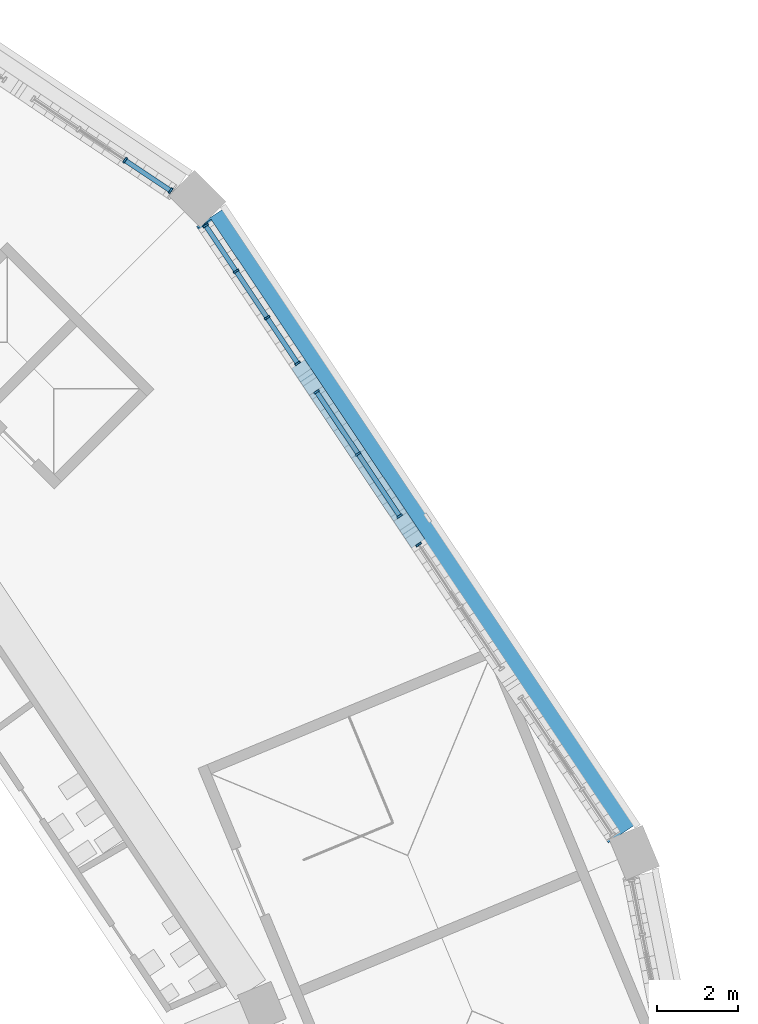
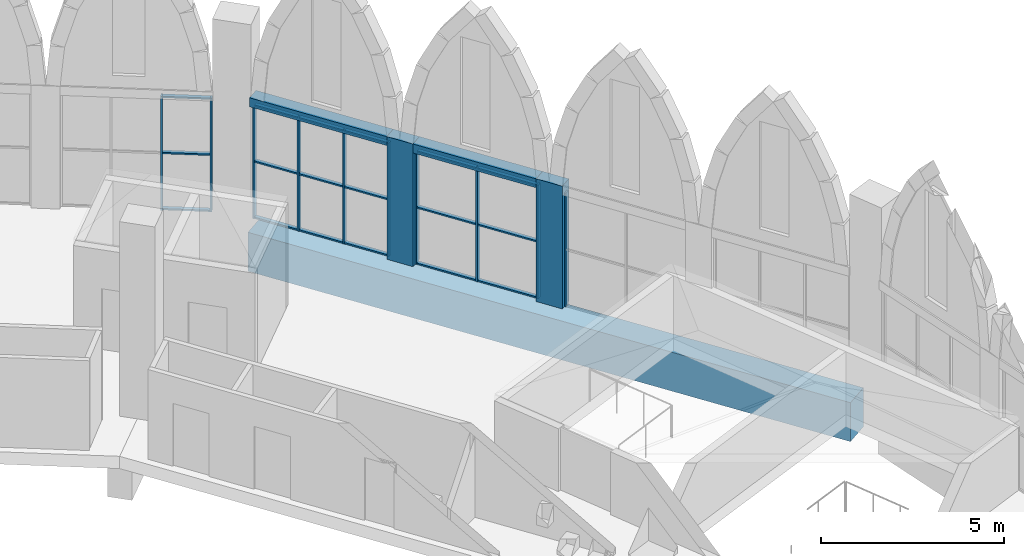
# One storey, part 44 of 130: 30 members, 3 beams, 4 elements without a shape of their own.
"""IFC4 building model written with IfcOpenShell, lengths in metres."""

from ifc_helpers import new_model, si_unit, direction, frame, origin, origin_2d, place, context, subcontext, project, spatial, rectangle, extrude, material, material_profile, profile_set, type_object, element, aggregate, save


model = new_model("IFC4")

# Units and contexts
model_context = context("Model", 3, precision=1e-05, world=origin(), true_north=direction((0.0, 1.0)))
body_context = subcontext(model_context, "Body", "Model", "MODEL_VIEW")
ifc_project = project(units=[si_unit("LENGTHUNIT", "METRE"), si_unit("AREAUNIT", "SQUARE_METRE"), si_unit("VOLUMEUNIT", "CUBIC_METRE"), si_unit("PLANEANGLEUNIT", "RADIAN"), si_unit("MASSUNIT", "GRAM", prefix="KILO")], contexts=[model_context])

# Site, building, storey
site_placement = place(None, origin())
site = spatial("IfcSite", under=ifc_project, at=site_placement, CompositionType="ELEMENT")
building_placement = place(site_placement, origin())
building = spatial("IfcBuilding", under=site, at=building_placement, Name="Ogive Plaza Stadium", CompositionType="ELEMENT")
storey_placement = place(building_placement, frame((0.0, 0.0, 22.5)))
storey = spatial("IfcBuildingStorey", under=building, at=storey_placement, Name="L05", CompositionType="ELEMENT", Elevation=22.5)

# Curtain wall, members
ifc_material_1 = material(Name="Bronze-anodised aluminium with laminated glass", Category="aluminium")
curtain_wall_type = type_object("IfcCurtainWallType", Name="Lancet curtain wall", PredefinedType="NOTDEFINED", material=ifc_material_1)
curtain_wall_1_placement = place(storey_placement, origin())
curtain_wall_1 = element("IfcCurtainWall", 1, at=curtain_wall_1_placement, inside=storey, type_object=curtain_wall_type, Name="CURTAIN WALL B38 L05", PredefinedType="NOTDEFINED")
ifc_material_2 = material(Name="Bronze-anodised aluminium", Category="aluminium")
ifc_material_profile_1 = material_profile(ifc_material_2, rectangle(XDim=0.14990234375, YDim=0.050048828125, at=origin_2d()), Name="AL 150x50")
ifc_profile_set_1 = profile_set([ifc_material_profile_1], Name="Bronze-anodised aluminium")
member_type_1 = type_object("IfcMemberType", Name="Curtain wall mullion 50x150", PredefinedType="MULLION", material=ifc_profile_set_1)
member_1_placement = place(storey_placement, frame((67.5595703125, 88.814697265625, 0.0), z_axis=(0.0, 0.0, 1.0), x_axis=(0.555570233005, 0.831469612312, 0.0)))
member_1 = element("IfcMember", 2, at=member_1_placement, type_object=member_type_1, Name="CW-B38-L05.4 mullion 3", PredefinedType="MULLION", context=body_context, shape_type="SweptSolid", body=[
    extrude(rectangle(XDim=0.14990234375, YDim=0.050048828125, at=origin_2d()), origin(), (0.0, 0.0, 1.0), 3.800048828125),
])
member_2_placement = place(storey_placement, frame((68.69091796875, 88.05859375, 0.0), z_axis=(0.0, 0.0, 1.0), x_axis=(0.555570233005, 0.831469612312, 0.0)))
member_2 = element("IfcMember", 3, at=member_2_placement, type_object=member_type_1, Name="CW-B38-L05.4 mullion 4", PredefinedType="MULLION", context=body_context, shape_type="SweptSolid", body=[
    extrude(rectangle(XDim=0.14990234375, YDim=0.050048828125, at=origin_2d()), origin(), (0.0, 0.0, 1.0), 3.800048828125),
])

curtain_wall_2_placement = place(storey_placement, origin())
curtain_wall_2 = element("IfcCurtainWall", 4, at=curtain_wall_2_placement, inside=storey, type_object=curtain_wall_type, Name="CURTAIN WALL B39 L05", PredefinedType="NOTDEFINED")
member_3_placement = place(storey_placement, frame((69.55859375, 87.19091796875, 0.0), z_axis=(0.0, 0.0, 1.0), x_axis=(0.831469612312, 0.555570233005, 0.0)))
member_3 = element("IfcMember", 5, at=member_3_placement, type_object=member_type_1, Name="CW-B39-L05.1 mullion 1", PredefinedType="MULLION", context=body_context, shape_type="SweptSolid", body=[
    extrude(rectangle(XDim=0.14990234375, YDim=0.050048828125, at=origin_2d()), origin(), (0.0, 0.0, 1.0), 3.800048828125),
])
member_4_placement = place(storey_placement, frame((70.314697265625, 86.0595703125, 0.0), z_axis=(0.0, 0.0, 1.0), x_axis=(0.831469612312, 0.555570233005, 0.0)))
member_4 = element("IfcMember", 6, at=member_4_placement, type_object=member_type_1, Name="CW-B39-L05.1 mullion 2", PredefinedType="MULLION", context=body_context, shape_type="SweptSolid", body=[
    extrude(rectangle(XDim=0.14990234375, YDim=0.050048828125, at=origin_2d()), origin(), (0.0, 0.0, 1.0), 3.800048828125),
])
member_5_placement = place(storey_placement, frame((71.08447265625, 84.907470703125, 0.0), z_axis=(0.0, 0.0, 1.0), x_axis=(0.831469612312, 0.555570233005, 0.0)))
member_5 = element("IfcMember", 7, at=member_5_placement, type_object=member_type_1, Name="CW-B39-L05.1 mullion 3", PredefinedType="MULLION", context=body_context, shape_type="SweptSolid", body=[
    extrude(rectangle(XDim=0.14990234375, YDim=0.050048828125, at=origin_2d()), origin(), (0.0, 0.0, 1.0), 3.800048828125),
])
member_6_placement = place(storey_placement, frame((71.840576171875, 83.776123046875, 0.0), z_axis=(0.0, 0.0, 1.0), x_axis=(0.831469612312, 0.555570233005, 0.0)))
member_6 = element("IfcMember", 8, at=member_6_placement, type_object=member_type_1, Name="CW-B39-L05.1 mullion 4", PredefinedType="MULLION", context=body_context, shape_type="SweptSolid", body=[
    extrude(rectangle(XDim=0.14990234375, YDim=0.050048828125, at=origin_2d()), origin(), (0.0, 0.0, 1.0), 3.800048828125),
])

curtain_wall_3_placement = place(storey_placement, origin())
curtain_wall_3 = element("IfcCurtainWall", 9, at=curtain_wall_3_placement, inside=storey, type_object=curtain_wall_type, Name="CURTAIN WALL B39 L05", PredefinedType="NOTDEFINED")
member_7_placement = place(storey_placement, frame((72.312744140625, 83.0693359375, 0.0), z_axis=(0.0, 0.0, 1.0), x_axis=(0.831469612235, 0.555570233121, 0.0)))
member_7 = element("IfcMember", 10, at=member_7_placement, type_object=member_type_1, Name="CW-B39-L05.2 mullion 1", PredefinedType="MULLION", context=body_context, shape_type="SweptSolid", body=[
    extrude(rectangle(XDim=0.14990234375, YDim=0.050048828125, at=origin_2d()), origin(), (0.0, 0.0, 1.0), 3.800048828125),
])
member_8_placement = place(storey_placement, frame((73.342529296875, 81.528076171875, 0.0), z_axis=(0.0, 0.0, 1.0), x_axis=(0.831469612235, 0.555570233121, 0.0)))
member_8 = element("IfcMember", 11, at=member_8_placement, type_object=member_type_1, Name="CW-B39-L05.2 mullion 2", PredefinedType="MULLION", context=body_context, shape_type="SweptSolid", body=[
    extrude(rectangle(XDim=0.14990234375, YDim=0.050048828125, at=origin_2d()), origin(), (0.0, 0.0, 1.0), 3.800048828125),
])
member_9_placement = place(storey_placement, frame((74.372314453125, 79.987060546875, 0.0), z_axis=(0.0, 0.0, 1.0), x_axis=(0.831469612235, 0.555570233121, 0.0)))
member_9 = element("IfcMember", 12, at=member_9_placement, type_object=member_type_1, Name="CW-B39-L05.2 mullion 3", PredefinedType="MULLION", context=body_context, shape_type="SweptSolid", body=[
    extrude(rectangle(XDim=0.14990234375, YDim=0.050048828125, at=origin_2d()), origin(), (0.0, 0.0, 1.0), 3.800048828125),
])

# Curtain wall, member
curtain_wall_4_placement = place(storey_placement, origin())
curtain_wall_4 = element("IfcCurtainWall", 13, at=curtain_wall_4_placement, inside=storey, type_object=curtain_wall_type, Name="CURTAIN WALL B39 L05", PredefinedType="NOTDEFINED")
member_10_placement = place(storey_placement, frame((74.844482421875, 79.2802734375, 0.0), z_axis=(0.0, 0.0, 1.0), x_axis=(0.831469612157, 0.555570233237, 0.0)))
member_10 = element("IfcMember", 14, at=member_10_placement, type_object=member_type_1, Name="CW-B39-L05.3 mullion 1", PredefinedType="MULLION", context=body_context, shape_type="SweptSolid", body=[
    extrude(rectangle(XDim=0.14990234375, YDim=0.050048828125, at=origin_2d()), origin(), (0.0, 0.0, 1.0), 3.800048828125),
])
aggregate(curtain_wall_4, [member_10])

# Member
ifc_material_3 = material(Name="Bronze-anodised aluminium", Category="aluminium")
ifc_material_profile_2 = material_profile(ifc_material_3, rectangle(XDim=0.1201171875, YDim=0.050048828125, at=origin_2d()), Name="AL 120x50")
ifc_profile_set_2 = profile_set([ifc_material_profile_2], Name="Bronze-anodised aluminium")
member_type_2 = type_object("IfcMemberType", Name="Curtain wall transom 50x120", PredefinedType="USERDEFINED", material=ifc_profile_set_2)
member_11_placement = place(storey_placement, frame((67.580322265625, 88.80078125, 0.02490234375), z_axis=(0.83144805367, -0.555602496438, 0.0), x_axis=(0.555602496438, 0.83144805367, 0.0)))
member_11 = element("IfcMember", 15, at=member_11_placement, type_object=member_type_2, Name="CW-B38-L05.4 transom 3.1", ObjectType="TRANSOM", PredefinedType="USERDEFINED", context=body_context, shape_type="SweptSolid", body=[
    extrude(rectangle(XDim=0.1201171875, YDim=0.050048828125, at=origin_2d()), origin(), (0.0, 0.0, 1.0), 1.310791015625),
])

member_12_placement = place(storey_placement, frame((67.580322265625, 88.80078125, 1.89990234375), z_axis=(0.83144805367, -0.555602496438, 0.0), x_axis=(0.555602496438, 0.83144805367, 0.0)))
member_12 = element("IfcMember", 16, at=member_12_placement, type_object=member_type_2, Name="CW-B38-L05.4 transom 3.2", ObjectType="TRANSOM", PredefinedType="USERDEFINED", context=body_context, shape_type="SweptSolid", body=[
    extrude(rectangle(XDim=0.1201171875, YDim=0.050048828125, at=origin_2d()), origin(), (0.0, 0.0, 1.0), 1.310791015625),
])

member_13_placement = place(storey_placement, frame((67.580322265625, 88.80078125, 3.77490234375), z_axis=(0.83144805367, -0.555602496438, 0.0), x_axis=(0.555602496438, 0.83144805367, 0.0)))
member_13 = element("IfcMember", 17, at=member_13_placement, type_object=member_type_2, Name="CW-B38-L05.4 transom 3.3", ObjectType="TRANSOM", PredefinedType="USERDEFINED", context=body_context, shape_type="SweptSolid", body=[
    extrude(rectangle(XDim=0.1201171875, YDim=0.050048828125, at=origin_2d()), origin(), (0.0, 0.0, 1.0), 1.310791015625),
])

aggregate(curtain_wall_1, [member_1, member_2, member_11, member_12, member_13])

member_14_placement = place(storey_placement, frame((69.572509765625, 87.170166015625, 0.02490234375), z_axis=(0.555602496438, -0.83144805367, 0.0), x_axis=(0.83144805367, 0.555602496438, 0.0)))
member_14 = element("IfcMember", 18, at=member_14_placement, type_object=member_type_2, Name="CW-B39-L05.1 transom 1.1", ObjectType="TRANSOM", PredefinedType="USERDEFINED", context=body_context, shape_type="SweptSolid", body=[
    extrude(rectangle(XDim=0.1201171875, YDim=0.050048828125, at=origin_2d()), origin(), (0.0, 0.0, 1.0), 1.310791015625),
])

member_15_placement = place(storey_placement, frame((69.572509765625, 87.170166015625, 1.89990234375), z_axis=(0.555602496438, -0.83144805367, 0.0), x_axis=(0.83144805367, 0.555602496438, 0.0)))
member_15 = element("IfcMember", 19, at=member_15_placement, type_object=member_type_2, Name="CW-B39-L05.1 transom 1.2", ObjectType="TRANSOM", PredefinedType="USERDEFINED", context=body_context, shape_type="SweptSolid", body=[
    extrude(rectangle(XDim=0.1201171875, YDim=0.050048828125, at=origin_2d()), origin(), (0.0, 0.0, 1.0), 1.310791015625),
])

member_16_placement = place(storey_placement, frame((69.572509765625, 87.170166015625, 3.77490234375), z_axis=(0.555602496438, -0.83144805367, 0.0), x_axis=(0.83144805367, 0.555602496438, 0.0)))
member_16 = element("IfcMember", 20, at=member_16_placement, type_object=member_type_2, Name="CW-B39-L05.1 transom 1.3", ObjectType="TRANSOM", PredefinedType="USERDEFINED", context=body_context, shape_type="SweptSolid", body=[
    extrude(rectangle(XDim=0.1201171875, YDim=0.050048828125, at=origin_2d()), origin(), (0.0, 0.0, 1.0), 1.310791015625),
])

member_17_placement = place(storey_placement, frame((70.32861328125, 86.038818359375, 0.02490234375), z_axis=(0.555501406481, -0.831515596605, 0.0), x_axis=(0.831515596605, 0.555501406481, 0.0)))
member_17 = element("IfcMember", 21, at=member_17_placement, type_object=member_type_2, Name="CW-B39-L05.1 transom 2.1", ObjectType="TRANSOM", PredefinedType="USERDEFINED", context=body_context, shape_type="SweptSolid", body=[
    extrude(rectangle(XDim=0.1201171875, YDim=0.050048828125, at=origin_2d()), origin(), (0.0, 0.0, 1.0), 1.335693359375),
])

member_18_placement = place(storey_placement, frame((70.32861328125, 86.038818359375, 1.89990234375), z_axis=(0.555501406481, -0.831515596605, 0.0), x_axis=(0.831515596605, 0.555501406481, 0.0)))
member_18 = element("IfcMember", 22, at=member_18_placement, type_object=member_type_2, Name="CW-B39-L05.1 transom 2.2", ObjectType="TRANSOM", PredefinedType="USERDEFINED", context=body_context, shape_type="SweptSolid", body=[
    extrude(rectangle(XDim=0.1201171875, YDim=0.050048828125, at=origin_2d()), origin(), (0.0, 0.0, 1.0), 1.335693359375),
])

member_19_placement = place(storey_placement, frame((70.32861328125, 86.038818359375, 3.77490234375), z_axis=(0.555501406481, -0.831515596605, 0.0), x_axis=(0.831515596605, 0.555501406481, 0.0)))
member_19 = element("IfcMember", 23, at=member_19_placement, type_object=member_type_2, Name="CW-B39-L05.1 transom 2.3", ObjectType="TRANSOM", PredefinedType="USERDEFINED", context=body_context, shape_type="SweptSolid", body=[
    extrude(rectangle(XDim=0.1201171875, YDim=0.050048828125, at=origin_2d()), origin(), (0.0, 0.0, 1.0), 1.335693359375),
])

member_20_placement = place(storey_placement, frame((71.098388671875, 84.88671875, 0.02490234375), z_axis=(0.555602496438, -0.83144805367, 0.0), x_axis=(0.83144805367, 0.555602496438, 0.0)))
member_20 = element("IfcMember", 24, at=member_20_placement, type_object=member_type_2, Name="CW-B39-L05.1 transom 3.1", ObjectType="TRANSOM", PredefinedType="USERDEFINED", context=body_context, shape_type="SweptSolid", body=[
    extrude(rectangle(XDim=0.1201171875, YDim=0.050048828125, at=origin_2d()), origin(), (0.0, 0.0, 1.0), 1.310791015625),
])

member_21_placement = place(storey_placement, frame((71.098388671875, 84.88671875, 1.89990234375), z_axis=(0.555602496438, -0.83144805367, 0.0), x_axis=(0.83144805367, 0.555602496438, 0.0)))
member_21 = element("IfcMember", 25, at=member_21_placement, type_object=member_type_2, Name="CW-B39-L05.1 transom 3.2", ObjectType="TRANSOM", PredefinedType="USERDEFINED", context=body_context, shape_type="SweptSolid", body=[
    extrude(rectangle(XDim=0.1201171875, YDim=0.050048828125, at=origin_2d()), origin(), (0.0, 0.0, 1.0), 1.310791015625),
])

member_22_placement = place(storey_placement, frame((71.098388671875, 84.88671875, 3.77490234375), z_axis=(0.555602496438, -0.83144805367, 0.0), x_axis=(0.83144805367, 0.555602496438, 0.0)))
member_22 = element("IfcMember", 26, at=member_22_placement, type_object=member_type_2, Name="CW-B39-L05.1 transom 3.3", ObjectType="TRANSOM", PredefinedType="USERDEFINED", context=body_context, shape_type="SweptSolid", body=[
    extrude(rectangle(XDim=0.1201171875, YDim=0.050048828125, at=origin_2d()), origin(), (0.0, 0.0, 1.0), 1.310791015625),
])

aggregate(curtain_wall_2, [member_3, member_4, member_5, member_6, member_14, member_15, member_16, member_17, member_18, member_19, member_20, member_21, member_22])

member_23_placement = place(storey_placement, frame((72.32666015625, 83.048583984375, 0.02490234375), z_axis=(0.555574613559, -0.831466685303, 0.0), x_axis=(0.831466685303, 0.555574613559, 0.0)))
member_23 = element("IfcMember", 27, at=member_23_placement, type_object=member_type_2, Name="CW-B39-L05.2 transom 1.1", ObjectType="TRANSOM", PredefinedType="USERDEFINED", context=body_context, shape_type="SweptSolid", body=[
    extrude(rectangle(XDim=0.1201171875, YDim=0.050048828125, at=origin_2d()), origin(), (0.0, 0.0, 1.0), 1.803466796875),
])

member_24_placement = place(storey_placement, frame((72.32666015625, 83.048583984375, 1.89990234375), z_axis=(0.555574613559, -0.831466685303, 0.0), x_axis=(0.831466685303, 0.555574613559, 0.0)))
member_24 = element("IfcMember", 28, at=member_24_placement, type_object=member_type_2, Name="CW-B39-L05.2 transom 1.2", ObjectType="TRANSOM", PredefinedType="USERDEFINED", context=body_context, shape_type="SweptSolid", body=[
    extrude(rectangle(XDim=0.1201171875, YDim=0.050048828125, at=origin_2d()), origin(), (0.0, 0.0, 1.0), 1.803466796875),
])

member_25_placement = place(storey_placement, frame((72.32666015625, 83.048583984375, 3.77490234375), z_axis=(0.555574613559, -0.831466685303, 0.0), x_axis=(0.831466685303, 0.555574613559, 0.0)))
member_25 = element("IfcMember", 29, at=member_25_placement, type_object=member_type_2, Name="CW-B39-L05.2 transom 1.3", ObjectType="TRANSOM", PredefinedType="USERDEFINED", context=body_context, shape_type="SweptSolid", body=[
    extrude(rectangle(XDim=0.1201171875, YDim=0.050048828125, at=origin_2d()), origin(), (0.0, 0.0, 1.0), 1.803466796875),
])

member_26_placement = place(storey_placement, frame((73.3564453125, 81.50732421875, 0.02490234375), z_axis=(0.555574613559, -0.831466685303, 0.0), x_axis=(0.831466685303, 0.555574613559, 0.0)))
member_26 = element("IfcMember", 30, at=member_26_placement, type_object=member_type_2, Name="CW-B39-L05.2 transom 2.1", ObjectType="TRANSOM", PredefinedType="USERDEFINED", context=body_context, shape_type="SweptSolid", body=[
    extrude(rectangle(XDim=0.1201171875, YDim=0.050048828125, at=origin_2d()), origin(), (0.0, 0.0, 1.0), 1.803466796875),
])

member_27_placement = place(storey_placement, frame((73.3564453125, 81.50732421875, 1.89990234375), z_axis=(0.555574613559, -0.831466685303, 0.0), x_axis=(0.831466685303, 0.555574613559, 0.0)))
member_27 = element("IfcMember", 31, at=member_27_placement, type_object=member_type_2, Name="CW-B39-L05.2 transom 2.2", ObjectType="TRANSOM", PredefinedType="USERDEFINED", context=body_context, shape_type="SweptSolid", body=[
    extrude(rectangle(XDim=0.1201171875, YDim=0.050048828125, at=origin_2d()), origin(), (0.0, 0.0, 1.0), 1.803466796875),
])

member_28_placement = place(storey_placement, frame((73.3564453125, 81.50732421875, 3.77490234375), z_axis=(0.555574613559, -0.831466685303, 0.0), x_axis=(0.831466685303, 0.555574613559, 0.0)))
member_28 = element("IfcMember", 32, at=member_28_placement, type_object=member_type_2, Name="CW-B39-L05.2 transom 2.3", ObjectType="TRANSOM", PredefinedType="USERDEFINED", context=body_context, shape_type="SweptSolid", body=[
    extrude(rectangle(XDim=0.1201171875, YDim=0.050048828125, at=origin_2d()), origin(), (0.0, 0.0, 1.0), 1.803466796875),
])

aggregate(curtain_wall_3, [member_7, member_8, member_9, member_23, member_24, member_25, member_26, member_27, member_28])

# Members
ifc_material_4 = material(Name="Concrete C45/55 precast", Category="concrete")
ifc_material_profile_3 = material_profile(ifc_material_4, rectangle(XDim=0.39990234375, YDim=0.800048828125, at=origin_2d()), Name="RC 400x800")
ifc_profile_set_3 = profile_set([ifc_material_profile_3], Name="Concrete C45/55 precast")
member_type_3 = type_object("IfcMemberType", Name="Precast colonette 800x400", PredefinedType="POST", material=ifc_profile_set_3)
for number, where, z_axis, x_axis, name in (
    (33, (72.07666015625, 83.422607421875, 0.0), (0.0, 0.0, 1.0), (0.831469612303, 0.55557023302, 0.0), "COLONETTE B39 1"),
    (34, (74.6083984375, 79.633544921875, 0.0), (0.0, 0.0, 1.0), (0.831469612303, 0.55557023302, 0.0), "COLONETTE B39 2"),
):
    element("IfcMember", number, at=place(storey_placement, frame(where, z_axis=z_axis, x_axis=x_axis)), inside=storey, type_object=member_type_3, Name=name, PredefinedType="POST", context=body_context, shape_type="SweptSolid", body=[
        extrude(rectangle(XDim=0.39990234375, YDim=0.800048828125, at=origin_2d()), origin(), (0.0, 0.0, 1.0), 4.10009765625),
    ])

# Beams
ifc_material_5 = material(Name="Concrete C45/55 precast", Category="concrete")
ifc_material_profile_4 = material_profile(ifc_material_5, rectangle(XDim=0.39990234375, YDim=0.300048828125, at=origin_2d()), Name="RC 400x300")
ifc_profile_set_4 = profile_set([ifc_material_profile_4], Name="Concrete C45/55 precast")
beam_type_1 = type_object("IfcBeamType", Name="Precast tympanum lintel 400x300", PredefinedType="BEAM", material=ifc_profile_set_4)
beam_1_placement = place(storey_placement, frame((69.528076171875, 87.23681640625, 3.949951171875), z_axis=(0.555594983424, -0.831453074078, 0.0), x_axis=(0.831453074078, 0.555594983424, 0.0)))
element("IfcBeam", 35, at=beam_1_placement, inside=storey, type_object=beam_type_1, Name="TYMPANUM LINTEL B39 1", PredefinedType="BEAM", context=body_context, shape_type="SweptSolid", body=[
    extrude(rectangle(XDim=0.39990234375, YDim=0.300048828125, at=origin_2d()), origin(), (0.0, 0.0, 1.0), 4.217041015625),
])
beam_2_placement = place(storey_placement, frame((72.2822265625, 83.114990234375, 3.949951171875), z_axis=(0.555585528171, -0.831459392206, 0.0), x_axis=(0.831459392206, 0.555585528171, 0.0)))
element("IfcBeam", 36, at=beam_2_placement, inside=storey, type_object=beam_type_1, Name="TYMPANUM LINTEL B39 2", PredefinedType="BEAM", context=body_context, shape_type="SweptSolid", body=[
    extrude(rectangle(XDim=0.39990234375, YDim=0.300048828125, at=origin_2d()), origin(), (0.0, 0.0, 1.0), 3.81689453125),
])
ifc_material_6 = material(Name="Concrete C40/50", Category="concrete")
ifc_material_profile_5 = material_profile(ifc_material_6, rectangle(XDim=0.800048828125, YDim=1.300048828125, at=origin_2d()), Name="RC 800x1300")
ifc_profile_set_5 = profile_set([ifc_material_profile_5], Name="Concrete C40/50")
beam_type_2 = type_object("IfcBeamType", Name="RC spandrel beam 800x1300", PredefinedType="SPANDREL", material=ifc_profile_set_5)
beam_3_placement = place(storey_placement, frame((69.6669921875, 87.38916015625, -1.06005859375), z_axis=(0.555557833169, -0.831477897484, 0.0), x_axis=(0.831477897484, 0.555557833169, 0.0)))
element("IfcBeam", 37, at=beam_3_placement, inside=storey, type_object=beam_type_2, Name="Ring beam F5 L05 B39", PredefinedType="SPANDREL", context=body_context, shape_type="SweptSolid", body=[
    extrude(rectangle(XDim=0.800048828125, YDim=1.300048828125, at=origin_2d()), origin(), (0.0, 0.0, 1.0), 18.387451171875),
])

save(model, "model.ifc")
